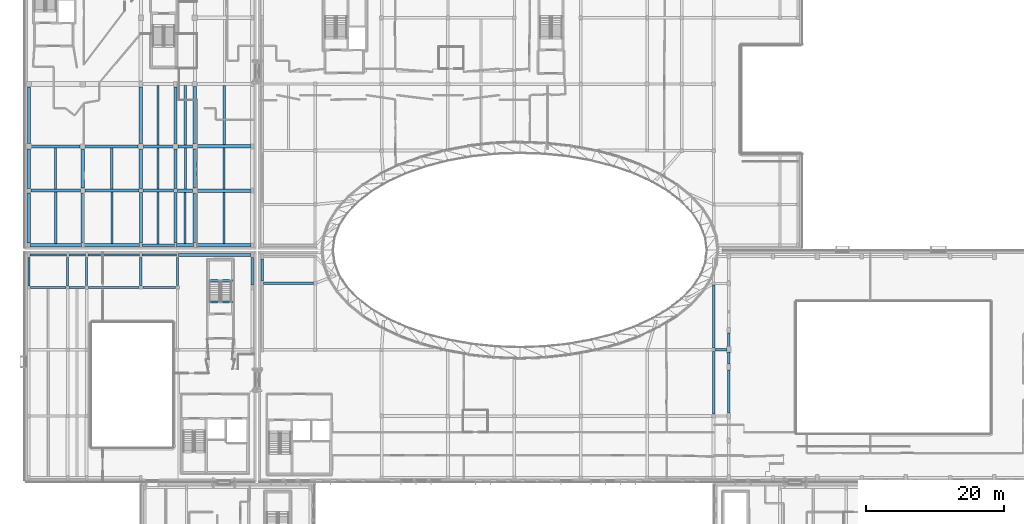
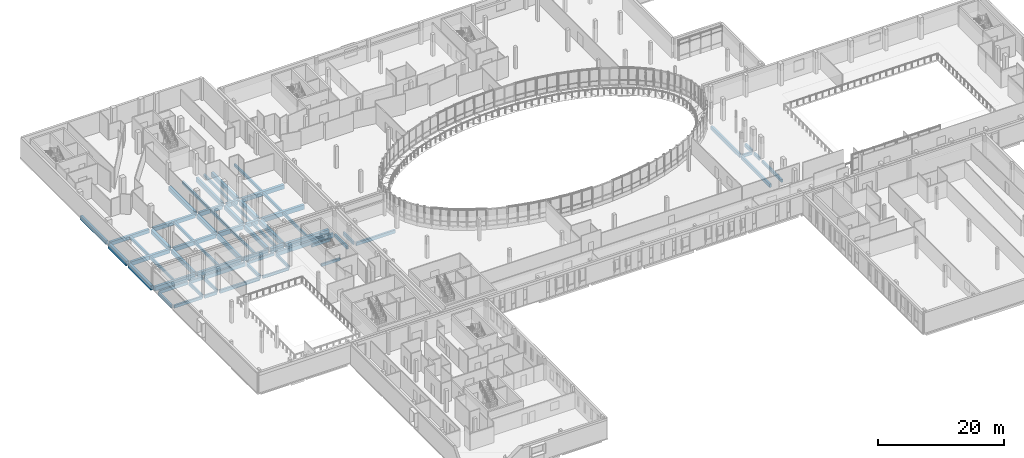
# One storey, part 18 of 84: 67 beams.
"""IFC4 building model written with IfcOpenShell, lengths in metres."""

from ifc_helpers import new_model, si_unit, direction, frame, origin, origin_2d, place, context, subcontext, project, spatial, rectangle, extrude, material, material_profile, profile_set, type_object, element, save


model = new_model("IFC4")

# Units and contexts
model_context = context("Model", 3, precision=1e-05, world=origin(), true_north=direction((0.0, 1.0)))
body_context = subcontext(model_context, "Body", "Model", "MODEL_VIEW")
ifc_project = project(units=[si_unit("LENGTHUNIT", "METRE"), si_unit("AREAUNIT", "SQUARE_METRE"), si_unit("VOLUMEUNIT", "CUBIC_METRE"), si_unit("PLANEANGLEUNIT", "RADIAN"), si_unit("MASSUNIT", "GRAM", prefix="KILO")], contexts=[model_context])

# Site, building, storey
site_placement = place(None, origin())
site = spatial("IfcSite", under=ifc_project, at=site_placement, CompositionType="ELEMENT")
building_placement = place(site_placement, origin())
building = spatial("IfcBuilding", under=site, at=building_placement, Name="Mzevani Central Library", CompositionType="ELEMENT")
storey_placement = place(building_placement, frame((0.0, 0.0, 5.39990234375)))
storey = spatial("IfcBuildingStorey", under=building, at=storey_placement, Name="L01", CompositionType="ELEMENT", Elevation=5.39990234375)

# Beams
ifc_material_1 = material(Name="Concrete C35/45", Category="concrete")
ifc_material_profile_1 = material_profile(ifc_material_1, rectangle(XDim=0.300048828125, YDim=0.5, at=origin_2d()), Name="RC B300x500")
ifc_profile_set_1 = profile_set([ifc_material_profile_1], Name="Concrete C35/45")
beam_type_1 = type_object("IfcBeamType", Name="Beam RC 300x500", PredefinedType="BEAM", material=ifc_profile_set_1)
beam_1_placement = place(storey_placement, frame((29.47509765625, 70.60009765625, -0.510009765625), z_axis=(1.0, 0.0, 0.0), x_axis=(0.0, 1.0, 0.0)))
element("IfcBeam", 1, at=beam_1_placement, inside=storey, type_object=beam_type_1, Name="L01 V5 Girder B-01 (944)", PredefinedType="BEAM", context=body_context, shape_type="SweptSolid", body=[
    extrude(rectangle(XDim=0.300048828125, YDim=0.5, at=origin_2d()), origin(), (0.0, 0.0, 1.0), 4.75),
])
for number, where, z_axis, x_axis, name in (
    (2, (38.97998046875, 71.580078125, 1.650146484375), (1.0, 0.0, 0.0), (0.0, 1.0, 0.0), "L01 Core C5B Lecture North Escape Stair Stair Landing Beam 1"),
    (3, (38.97998046875, 68.5, -0.25), (1.0, 0.0, 0.0), (0.0, 1.0, 0.0), "L01 Core C5B Lecture North Escape Stair Stair Opening Trimmer Beam"),
):
    element("IfcBeam", number, at=place(storey_placement, frame(where, z_axis=z_axis, x_axis=x_axis)), inside=storey, type_object=beam_type_1, Name=name, PredefinedType="BEAM", context=body_context, shape_type="SweptSolid", body=[
        extrude(rectangle(XDim=0.300048828125, YDim=0.5, at=origin_2d()), origin(), (0.0, 0.0, 1.0), 3.43994140625),
    ])
ifc_material_profile_2 = material_profile(ifc_material_1, rectangle(XDim=0.300048828125, YDim=0.550048828125, at=origin_2d()), Name="RC B300x550")
ifc_profile_set_2 = profile_set([ifc_material_profile_2], Name="Concrete C35/45")
beam_type_2 = type_object("IfcBeamType", Name="Beam RC 300x550", PredefinedType="BEAM", material=ifc_profile_set_2)
beam_2_placement = place(storey_placement, frame((112.22509765625, 61.60009765625, -0.534912109375), z_axis=(1.0, 0.0, 0.0), x_axis=(0.0, 1.0, 0.0)))
element("IfcBeam", 4, at=beam_2_placement, inside=storey, type_object=beam_type_2, Name="L01 V1 Girder B-02 (29)", PredefinedType="BEAM", context=body_context, shape_type="SweptSolid", body=[
    extrude(rectangle(XDim=0.300048828125, YDim=0.550048828125, at=origin_2d()), origin(), (0.0, 0.0, 1.0), 1.724853515625),
])
beam_3_placement = place(storey_placement, frame((114.199951171875, 52.449951171875, -0.534912109375), z_axis=(0.0, 1.0, 0.0), x_axis=(-1.0, 0.0, 0.0)))
element("IfcBeam", 5, at=beam_3_placement, inside=storey, type_object=beam_type_2, Name="L01 V1 Frame Beam B-02 (61)", PredefinedType="BEAM", context=body_context, shape_type="SweptSolid", body=[
    extrude(rectangle(XDim=0.300048828125, YDim=0.550048828125, at=origin_2d()), origin(), (0.0, 0.0, 1.0), 6.199951171875),
])
beam_4_placement = place(storey_placement, frame((13.22509765625, 70.60009765625, -0.534912109375), z_axis=(1.0, 0.0, 0.0), x_axis=(0.0, 1.0, 0.0)))
element("IfcBeam", 6, at=beam_4_placement, inside=storey, type_object=beam_type_2, Name="L01 V5 Girder B-02 (941)", PredefinedType="BEAM", context=body_context, shape_type="SweptSolid", body=[
    extrude(rectangle(XDim=0.300048828125, YDim=0.550048828125, at=origin_2d()), origin(), (0.0, 0.0, 1.0), 5.1748046875),
])
beam_5_placement = place(storey_placement, frame((29.375, 75.300048828125, -0.534912109375), z_axis=(1.0, 0.0, 0.0), x_axis=(0.0, 1.0, 0.0)))
element("IfcBeam", 7, at=beam_5_placement, inside=storey, type_object=beam_type_2, Name="L01 V5 Girder B-02 (949)", PredefinedType="BEAM", context=body_context, shape_type="SweptSolid", body=[
    extrude(rectangle(XDim=0.300048828125, YDim=0.550048828125, at=origin_2d()), origin(), (0.0, 0.0, 1.0), 4.949951171875),
])
beam_6_placement = place(storey_placement, frame((34.5, 70.875, -0.534912109375), z_axis=(0.0, 1.0, 0.0), x_axis=(-1.0, 0.0, 0.0)))
element("IfcBeam", 8, at=beam_6_placement, inside=storey, type_object=beam_type_2, Name="L01 V5 Frame Beam B-02 (969)", PredefinedType="BEAM", context=body_context, shape_type="SweptSolid", body=[
    extrude(rectangle(XDim=0.300048828125, YDim=0.550048828125, at=origin_2d()), origin(), (0.0, 0.0, 1.0), 4.074951171875),
])
ifc_material_profile_3 = material_profile(ifc_material_1, rectangle(XDim=0.300048828125, YDim=0.60009765625, at=origin_2d()), Name="RC B300x600")
ifc_profile_set_3 = profile_set([ifc_material_profile_3], Name="Concrete C35/45")
beam_type_3 = type_object("IfcBeamType", Name="Beam RC 300x600", PredefinedType="BEAM", material=ifc_profile_set_3)
beam_7_placement = place(storey_placement, frame((46.75, 71.550048828125, -0.559814453125), z_axis=(0.0, 1.0, 0.0), x_axis=(-1.0, 0.0, 0.0)))
element("IfcBeam", 9, at=beam_7_placement, inside=storey, type_object=beam_type_3, Name="L01 V1 Frame Beam B-03 (42)", PredefinedType="BEAM", context=body_context, shape_type="SweptSolid", body=[
    extrude(rectangle(XDim=0.300048828125, YDim=0.60009765625, at=origin_2d()), origin(), (0.0, 0.0, 1.0), 3.199951171875),
])
beam_8_placement = place(storey_placement, frame((114.199951171875, 59.550048828125, -0.559814453125), z_axis=(0.0, 1.0, 0.0), x_axis=(-1.0, 0.0, 0.0)))
element("IfcBeam", 10, at=beam_8_placement, inside=storey, type_object=beam_type_3, Name="L01 V1 Frame Beam B-03 (62)", PredefinedType="BEAM", context=body_context, shape_type="SweptSolid", body=[
    extrude(rectangle(XDim=0.300048828125, YDim=0.60009765625, at=origin_2d()), origin(), (0.0, 0.0, 1.0), 1.699951171875),
])
beam_9_placement = place(storey_placement, frame((18.800048828125, 70.60009765625, -0.559814453125), z_axis=(1.0, 0.0, 0.0), x_axis=(0.0, 1.0, 0.0)))
element("IfcBeam", 11, at=beam_9_placement, inside=storey, type_object=beam_type_3, Name="L01 V5 Girder B-03 (942)", PredefinedType="BEAM", context=body_context, shape_type="SweptSolid", body=[
    extrude(rectangle(XDim=0.300048828125, YDim=0.60009765625, at=origin_2d()), origin(), (0.0, 0.0, 1.0), 2.27490234375),
])
beam_10_placement = place(storey_placement, frame((13.175048828125, 75.300048828125, -0.559814453125), z_axis=(1.0, 0.0, 0.0), x_axis=(0.0, 1.0, 0.0)))
element("IfcBeam", 12, at=beam_10_placement, inside=storey, type_object=beam_type_3, Name="L01 V5 Girder B-03 (946)", PredefinedType="BEAM", context=body_context, shape_type="SweptSolid", body=[
    extrude(rectangle(XDim=0.300048828125, YDim=0.60009765625, at=origin_2d()), origin(), (0.0, 0.0, 1.0), 5.25),
])
beam_11_placement = place(storey_placement, frame((13.0, 70.824951171875, -0.559814453125), z_axis=(0.0, 1.0, 0.0), x_axis=(-1.0, 0.0, 0.0)))
element("IfcBeam", 13, at=beam_11_placement, inside=storey, type_object=beam_type_3, Name="L01 V5 Frame Beam B-03 (958)", PredefinedType="BEAM", context=body_context, shape_type="SweptSolid", body=[
    extrude(rectangle(XDim=0.300048828125, YDim=0.60009765625, at=origin_2d()), origin(), (0.0, 0.0, 1.0), 4.125),
])
beam_12_placement = place(storey_placement, frame((18.60009765625, 70.800048828125, -0.559814453125), z_axis=(0.0, 1.0, 0.0), x_axis=(-1.0, 0.0, 0.0)))
element("IfcBeam", 14, at=beam_12_placement, inside=storey, type_object=beam_type_3, Name="L01 V5 Frame Beam B-03 (962)", PredefinedType="BEAM", context=body_context, shape_type="SweptSolid", body=[
    extrude(rectangle(XDim=0.300048828125, YDim=0.60009765625, at=origin_2d()), origin(), (0.0, 0.0, 1.0), 4.14990234375),
])
beam_13_placement = place(storey_placement, frame((21.35009765625, 70.875, -0.559814453125), z_axis=(0.0, 1.0, 0.0), x_axis=(-1.0, 0.0, 0.0)))
element("IfcBeam", 15, at=beam_13_placement, inside=storey, type_object=beam_type_3, Name="L01 V5 Frame Beam B-03 (966)", PredefinedType="BEAM", context=body_context, shape_type="SweptSolid", body=[
    extrude(rectangle(XDim=0.300048828125, YDim=0.60009765625, at=origin_2d()), origin(), (0.0, 0.0, 1.0), 4.074951171875),
])
ifc_material_profile_4 = material_profile(ifc_material_1, rectangle(XDim=0.35009765625, YDim=0.60009765625, at=origin_2d()), Name="RC B350x600")
ifc_profile_set_4 = profile_set([ifc_material_profile_4], Name="Concrete C35/45")
beam_type_4 = type_object("IfcBeamType", Name="Beam RC 350x600", PredefinedType="BEAM", material=ifc_profile_set_4)
beam_14_placement = place(storey_placement, frame((46.925048828125, 71.199951171875, -0.559814453125), z_axis=(1.0, 0.0, 0.0), x_axis=(0.0, 1.0, 0.0)))
element("IfcBeam", 16, at=beam_14_placement, inside=storey, type_object=beam_type_4, Name="L01 V1 Girder B-04 (31)", PredefinedType="BEAM", context=body_context, shape_type="SweptSolid", body=[
    extrude(rectangle(XDim=0.35009765625, YDim=0.60009765625, at=origin_2d()), origin(), (0.0, 0.0, 1.0), 7.199951171875),
])
beam_15_placement = place(storey_placement, frame((114.199951171875, 61.949951171875, -0.559814453125), z_axis=(0.0, 1.0, 0.0), x_axis=(-1.0, 0.0, 0.0)))
element("IfcBeam", 17, at=beam_15_placement, inside=storey, type_object=beam_type_4, Name="L01 V1 Frame Beam B-04 (63)", PredefinedType="BEAM", context=body_context, shape_type="SweptSolid", body=[
    extrude(rectangle(XDim=0.35009765625, YDim=0.60009765625, at=origin_2d()), origin(), (0.0, 0.0, 1.0), 2.0830078125),
])
beam_16_placement = place(storey_placement, frame((21.625, 70.60009765625, -0.559814453125), z_axis=(1.0, 0.0, 0.0), x_axis=(0.0, 1.0, 0.0)))
element("IfcBeam", 18, at=beam_16_placement, inside=storey, type_object=beam_type_4, Name="L01 V5 Girder B-04 (943)", PredefinedType="BEAM", context=body_context, shape_type="SweptSolid", body=[
    extrude(rectangle(XDim=0.35009765625, YDim=0.60009765625, at=origin_2d()), origin(), (0.0, 0.0, 1.0), 7.300048828125),
])
beam_17_placement = place(storey_placement, frame((18.77490234375, 75.300048828125, -0.559814453125), z_axis=(1.0, 0.0, 0.0), x_axis=(0.0, 1.0, 0.0)))
element("IfcBeam", 19, at=beam_17_placement, inside=storey, type_object=beam_type_4, Name="L01 V5 Girder B-04 (947)", PredefinedType="BEAM", context=body_context, shape_type="SweptSolid", body=[
    extrude(rectangle(XDim=0.35009765625, YDim=0.60009765625, at=origin_2d()), origin(), (0.0, 0.0, 1.0), 2.400146484375),
])
beam_18_placement = place(storey_placement, frame((29.199951171875, 70.875, -0.559814453125), z_axis=(0.0, 1.0, 0.0), x_axis=(-1.0, 0.0, 0.0)))
element("IfcBeam", 20, at=beam_18_placement, inside=storey, type_object=beam_type_4, Name="L01 V5 Frame Beam B-04 (967)", PredefinedType="BEAM", context=body_context, shape_type="SweptSolid", body=[
    extrude(rectangle(XDim=0.35009765625, YDim=0.60009765625, at=origin_2d()), origin(), (0.0, 0.0, 1.0), 4.074951171875),
])
beam_19_placement = place(storey_placement, frame((45.300048828125, 70.949951171875, -0.559814453125), z_axis=(0.0, 1.0, 0.0), x_axis=(-1.0, 0.0, 0.0)))
element("IfcBeam", 21, at=beam_19_placement, inside=storey, type_object=beam_type_4, Name="L01 V5 Frame Beam B-04 (971)", PredefinedType="BEAM", context=body_context, shape_type="SweptSolid", body=[
    extrude(rectangle(XDim=0.35009765625, YDim=0.60009765625, at=origin_2d()), origin(), (0.0, 0.0, 1.0), 4.0),
])
ifc_material_profile_5 = material_profile(ifc_material_1, rectangle(XDim=0.35009765625, YDim=0.64990234375, at=origin_2d()), Name="RC B350x650")
ifc_profile_set_5 = profile_set([ifc_material_profile_5], Name="Concrete C35/45")
beam_type_5 = type_object("IfcBeamType", Name="Beam RC 350x650", PredefinedType="BEAM", material=ifc_profile_set_5)
beam_20_placement = place(storey_placement, frame((112.0, 52.27490234375, -0.5849609375), z_axis=(0.0, 1.0, 0.0), x_axis=(-1.0, 0.0, 0.0)))
element("IfcBeam", 22, at=beam_20_placement, inside=storey, type_object=beam_type_5, Name="L01 V1 Frame Beam B-05 (56)", PredefinedType="BEAM", context=body_context, shape_type="SweptSolid", body=[
    extrude(rectangle(XDim=0.35009765625, YDim=0.64990234375, at=origin_2d()), origin(), (0.0, 0.0, 1.0), 9.10009765625),
])
ifc_material_profile_6 = material_profile(ifc_material_1, rectangle(XDim=0.35009765625, YDim=0.699951171875, at=origin_2d()), Name="RC B350x700")
ifc_profile_set_6 = profile_set([ifc_material_profile_6], Name="Concrete C35/45")
beam_type_6 = type_object("IfcBeamType", Name="Beam RC 350x700", PredefinedType="BEAM", material=ifc_profile_set_6)
beam_21_placement = place(storey_placement, frame((112.0, 61.824951171875, -0.60986328125), z_axis=(0.0, 1.0, 0.0), x_axis=(-1.0, 0.0, 0.0)))
element("IfcBeam", 23, at=beam_21_placement, inside=storey, type_object=beam_type_6, Name="L01 V1 Frame Beam B-06 (57)", PredefinedType="BEAM", context=body_context, shape_type="SweptSolid", body=[
    extrude(rectangle(XDim=0.35009765625, YDim=0.699951171875, at=origin_2d()), origin(), (0.0, 0.0, 1.0), 9.150146484375),
])
ifc_material_profile_7 = material_profile(ifc_material_1, rectangle(XDim=0.39990234375, YDim=0.800048828125, at=origin_2d()), Name="RC B400x800")
ifc_profile_set_7 = profile_set([ifc_material_profile_7], Name="Concrete C35/45")
beam_type_7 = type_object("IfcBeamType", Name="Beam RC 400x800", PredefinedType="BEAM", material=ifc_profile_set_7)
beam_22_placement = place(storey_placement, frame((34.675048828125, 75.300048828125, -0.659912109375), z_axis=(1.0, 0.0, 0.0), x_axis=(0.0, 1.0, 0.0)))
element("IfcBeam", 24, at=beam_22_placement, inside=storey, type_object=beam_type_7, Name="L01 V5 Girder B-10 (950)", PredefinedType="BEAM", context=body_context, shape_type="SweptSolid", body=[
    extrude(rectangle(XDim=0.39990234375, YDim=0.800048828125, at=origin_2d()), origin(), (0.0, 0.0, 1.0), 10.449951171875),
])
ifc_material_2 = material(Name="Precast concrete C40/50", Category="concrete")
ifc_material_profile_8 = material_profile(ifc_material_2, rectangle(XDim=0.35009765625, YDim=0.800048828125, at=origin_2d()), Name="RC SP350x800")
ifc_profile_set_8 = profile_set([ifc_material_profile_8], Name="Precast concrete C40/50")
beam_type_8 = type_object("IfcBeamType", Name="Colonnade Fascia Beam RC 350x800", PredefinedType="SPANDREL", material=ifc_profile_set_8)
beam_23_placement = place(storey_placement, frame((29.375, 76.699951171875, -0.719970703125), z_axis=(1.0, 0.0, 0.0), x_axis=(0.0, 1.0, 0.0)))
element("IfcBeam", 25, at=beam_23_placement, inside=storey, type_object=beam_type_8, Name="L01 V2 Girder SP-02 (207)", PredefinedType="SPANDREL", context=body_context, shape_type="SweptSolid", body=[
    extrude(rectangle(XDim=0.35009765625, YDim=0.800048828125, at=origin_2d()), origin(), (0.0, 0.0, 1.0), 4.64990234375),
])
ifc_material_profile_9 = material_profile(ifc_material_2, rectangle(XDim=0.300048828125, YDim=0.75, at=origin_2d()), Name="RC SP300x750")
ifc_profile_set_9 = profile_set([ifc_material_profile_9], Name="Precast concrete C40/50")
beam_type_9 = type_object("IfcBeamType", Name="Edge Spandrel Beam RC 300x750", PredefinedType="SPANDREL", material=ifc_profile_set_9)
beam_24_placement = place(storey_placement, frame((21.52490234375, 75.300048828125, -0.635009765625), z_axis=(1.0, 0.0, 0.0), x_axis=(0.0, 1.0, 0.0)))
element("IfcBeam", 26, at=beam_24_placement, inside=storey, type_object=beam_type_9, Name="L01 V5 Girder SP-01 (948)", PredefinedType="SPANDREL", context=body_context, shape_type="SweptSolid", body=[
    extrude(rectangle(XDim=0.300048828125, YDim=0.75, at=origin_2d()), origin(), (0.0, 0.0, 1.0), 7.5),
])
ifc_material_3 = material(Name="Concrete C40/50", Category="concrete")
ifc_material_profile_10 = material_profile(ifc_material_3, rectangle(XDim=0.449951171875, YDim=0.699951171875, at=origin_2d()), Name="RC B450x700")
ifc_profile_set_10 = profile_set([ifc_material_profile_10], Name="Concrete C40/50")
beam_type_10 = type_object("IfcBeamType", Name="Stack Girder RC 450x700", PredefinedType="BEAM", material=ifc_profile_set_10)
beam_25_placement = place(storey_placement, frame((13.25, 91.0, -0.669921875), z_axis=(1.0, 0.0, 0.0), x_axis=(0.0, 1.0, 0.0)))
element("IfcBeam", 27, at=beam_25_placement, inside=storey, type_object=beam_type_10, Name="L01 V2 Girder BG-01 (217)", PredefinedType="BEAM", context=body_context, shape_type="SweptSolid", body=[
    extrude(rectangle(XDim=0.449951171875, YDim=0.699951171875, at=origin_2d()), origin(), (0.0, 0.0, 1.0), 7.175048828125),
])
beam_26_placement = place(storey_placement, frame((13.0, 91.39990234375, -0.669921875), z_axis=(0.0, 1.0, 0.0), x_axis=(-1.0, 0.0, 0.0)))
element("IfcBeam", 28, at=beam_26_placement, inside=storey, type_object=beam_type_10, Name="L01 V2 Frame Beam BG-01 (238)", PredefinedType="BEAM", context=body_context, shape_type="SweptSolid", body=[
    extrude(rectangle(XDim=0.449951171875, YDim=0.699951171875, at=origin_2d()), origin(), (0.0, 0.0, 1.0), 8.2001953125),
])
ifc_material_profile_11 = material_profile(ifc_material_3, rectangle(XDim=0.449951171875, YDim=0.75, at=origin_2d()), Name="RC B450x750")
ifc_profile_set_11 = profile_set([ifc_material_profile_11], Name="Concrete C40/50")
beam_type_11 = type_object("IfcBeamType", Name="Stack Girder RC 450x750", PredefinedType="BEAM", material=ifc_profile_set_11)
beam_27_placement = place(storey_placement, frame((13.324951171875, 84.60009765625, -0.69482421875), z_axis=(1.0, 0.0, 0.0), x_axis=(0.0, 1.0, 0.0)))
element("IfcBeam", 29, at=beam_27_placement, inside=storey, type_object=beam_type_11, Name="L01 V2 Girder BG-02 (211)", PredefinedType="BEAM", context=body_context, shape_type="SweptSolid", body=[
    extrude(rectangle(XDim=0.449951171875, YDim=0.75, at=origin_2d()), origin(), (0.0, 0.0, 1.0), 7.125),
])
beam_28_placement = place(storey_placement, frame((21.175048828125, 91.0, -0.69482421875), z_axis=(1.0, 0.0, 0.0), x_axis=(0.0, 1.0, 0.0)))
element("IfcBeam", 30, at=beam_28_placement, inside=storey, type_object=beam_type_11, Name="L01 V2 Girder BG-02 (218)", PredefinedType="BEAM", context=body_context, shape_type="SweptSolid", body=[
    extrude(rectangle(XDim=0.449951171875, YDim=0.75, at=origin_2d()), origin(), (0.0, 0.0, 1.0), 7.625),
])
beam_29_placement = place(storey_placement, frame((20.800048828125, 77.050048828125, -0.69482421875), z_axis=(0.0, 1.0, 0.0), x_axis=(-1.0, 0.0, 0.0)))
element("IfcBeam", 31, at=beam_29_placement, inside=storey, type_object=beam_type_11, Name="L01 V2 Frame Beam BG-02 (239)", PredefinedType="BEAM", context=body_context, shape_type="SweptSolid", body=[
    extrude(rectangle(XDim=0.449951171875, YDim=0.75, at=origin_2d()), origin(), (0.0, 0.0, 1.0), 7.199951171875),
])
beam_30_placement = place(storey_placement, frame((34.199951171875, 77.050048828125, -0.69482421875), z_axis=(0.0, 1.0, 0.0), x_axis=(-1.0, 0.0, 0.0)))
element("IfcBeam", 32, at=beam_30_placement, inside=storey, type_object=beam_type_11, Name="L01 V2 Frame Beam BG-02 (246)", PredefinedType="BEAM", context=body_context, shape_type="SweptSolid", body=[
    extrude(rectangle(XDim=0.449951171875, YDim=0.75, at=origin_2d()), origin(), (0.0, 0.0, 1.0), 7.25),
])
ifc_material_profile_12 = material_profile(ifc_material_3, rectangle(XDim=0.449951171875, YDim=0.800048828125, at=origin_2d()), Name="RC B450x800")
ifc_profile_set_12 = profile_set([ifc_material_profile_12], Name="Concrete C40/50")
beam_type_12 = type_object("IfcBeamType", Name="Stack Girder RC 450x800", PredefinedType="BEAM", material=ifc_profile_set_12)
beam_31_placement = place(storey_placement, frame((13.175048828125, 76.699951171875, -0.719970703125), z_axis=(1.0, 0.0, 0.0), x_axis=(0.0, 1.0, 0.0)))
element("IfcBeam", 33, at=beam_31_placement, inside=storey, type_object=beam_type_12, Name="L01 V2 Girder BG-03 (205)", PredefinedType="BEAM", context=body_context, shape_type="SweptSolid", body=[
    extrude(rectangle(XDim=0.449951171875, YDim=0.800048828125, at=origin_2d()), origin(), (0.0, 0.0, 1.0), 7.449951171875),
])
beam_32_placement = place(storey_placement, frame((21.14990234375, 84.60009765625, -0.719970703125), z_axis=(1.0, 0.0, 0.0), x_axis=(0.0, 1.0, 0.0)))
element("IfcBeam", 34, at=beam_32_placement, inside=storey, type_object=beam_type_12, Name="L01 V2 Girder BG-03 (212)", PredefinedType="BEAM", context=body_context, shape_type="SweptSolid", body=[
    extrude(rectangle(XDim=0.449951171875, YDim=0.800048828125, at=origin_2d()), origin(), (0.0, 0.0, 1.0), 7.75),
])
beam_33_placement = place(storey_placement, frame((29.60009765625, 91.0, -0.719970703125), z_axis=(1.0, 0.0, 0.0), x_axis=(0.0, 1.0, 0.0)))
element("IfcBeam", 35, at=beam_33_placement, inside=storey, type_object=beam_type_12, Name="L01 V2 Girder BG-03 (219)", PredefinedType="BEAM", context=body_context, shape_type="SweptSolid", body=[
    extrude(rectangle(XDim=0.449951171875, YDim=0.800048828125, at=origin_2d()), origin(), (0.0, 0.0, 1.0), 4.199951171875),
])
beam_34_placement = place(storey_placement, frame((20.800048828125, 84.949951171875, -0.719970703125), z_axis=(0.0, 1.0, 0.0), x_axis=(-1.0, 0.0, 0.0)))
element("IfcBeam", 36, at=beam_34_placement, inside=storey, type_object=beam_type_12, Name="L01 V2 Frame Beam BG-03 (240)", PredefinedType="BEAM", context=body_context, shape_type="SweptSolid", body=[
    extrude(rectangle(XDim=0.449951171875, YDim=0.800048828125, at=origin_2d()), origin(), (0.0, 0.0, 1.0), 5.675048828125),
])
beam_35_placement = place(storey_placement, frame((34.199951171875, 84.89990234375, -0.719970703125), z_axis=(0.0, 1.0, 0.0), x_axis=(-1.0, 0.0, 0.0)))
element("IfcBeam", 37, at=beam_35_placement, inside=storey, type_object=beam_type_12, Name="L01 V2 Frame Beam BG-03 (247)", PredefinedType="BEAM", context=body_context, shape_type="SweptSolid", body=[
    extrude(rectangle(XDim=0.449951171875, YDim=0.800048828125, at=origin_2d()), origin(), (0.0, 0.0, 1.0), 5.7001953125),
])
ifc_material_profile_13 = material_profile(ifc_material_3, rectangle(XDim=0.449951171875, YDim=0.85009765625, at=origin_2d()), Name="RC B450x850")
ifc_profile_set_13 = profile_set([ifc_material_profile_13], Name="Concrete C40/50")
beam_type_13 = type_object("IfcBeamType", Name="Stack Girder RC 450x850", PredefinedType="BEAM", material=ifc_profile_set_13)
beam_36_placement = place(storey_placement, frame((20.97509765625, 76.699951171875, -0.744873046875), z_axis=(1.0, 0.0, 0.0), x_axis=(0.0, 1.0, 0.0)))
element("IfcBeam", 38, at=beam_36_placement, inside=storey, type_object=beam_type_13, Name="L01 V2 Girder BG-04 (206)", PredefinedType="BEAM", context=body_context, shape_type="SweptSolid", body=[
    extrude(rectangle(XDim=0.449951171875, YDim=0.85009765625, at=origin_2d()), origin(), (0.0, 0.0, 1.0), 8.0498046875),
])
beam_37_placement = place(storey_placement, frame((29.5, 84.60009765625, -0.744873046875), z_axis=(1.0, 0.0, 0.0), x_axis=(0.0, 1.0, 0.0)))
element("IfcBeam", 39, at=beam_37_placement, inside=storey, type_object=beam_type_13, Name="L01 V2 Girder BG-04 (213)", PredefinedType="BEAM", context=body_context, shape_type="SweptSolid", body=[
    extrude(rectangle(XDim=0.449951171875, YDim=0.85009765625, at=origin_2d()), origin(), (0.0, 0.0, 1.0), 4.39990234375),
])
beam_38_placement = place(storey_placement, frame((34.60009765625, 91.0, -0.744873046875), z_axis=(1.0, 0.0, 0.0), x_axis=(0.0, 1.0, 0.0)))
element("IfcBeam", 40, at=beam_38_placement, inside=storey, type_object=beam_type_13, Name="L01 V2 Girder BG-04 (220)", PredefinedType="BEAM", context=body_context, shape_type="SweptSolid", body=[
    extrude(rectangle(XDim=0.449951171875, YDim=0.85009765625, at=origin_2d()), origin(), (0.0, 0.0, 1.0), 2.0498046875),
])
beam_39_placement = place(storey_placement, frame((29.199951171875, 77.050048828125, -0.744873046875), z_axis=(0.0, 1.0, 0.0), x_axis=(-1.0, 0.0, 0.0)))
element("IfcBeam", 41, at=beam_39_placement, inside=storey, type_object=beam_type_13, Name="L01 V2 Frame Beam BG-04 (241)", PredefinedType="BEAM", context=body_context, shape_type="SweptSolid", body=[
    extrude(rectangle(XDim=0.449951171875, YDim=0.85009765625, at=origin_2d()), origin(), (0.0, 0.0, 1.0), 7.25),
])
beam_40_placement = place(storey_placement, frame((34.199951171875, 91.39990234375, -0.744873046875), z_axis=(0.0, 1.0, 0.0), x_axis=(-1.0, 0.0, 0.0)))
element("IfcBeam", 42, at=beam_40_placement, inside=storey, type_object=beam_type_13, Name="L01 V2 Frame Beam BG-04 (248)", PredefinedType="BEAM", context=body_context, shape_type="SweptSolid", body=[
    extrude(rectangle(XDim=0.449951171875, YDim=0.85009765625, at=origin_2d()), origin(), (0.0, 0.0, 1.0), 8.175048828125),
])
ifc_material_profile_14 = material_profile(ifc_material_3, rectangle(XDim=0.5, YDim=0.800048828125, at=origin_2d()), Name="RC B500x800")
ifc_profile_set_14 = profile_set([ifc_material_profile_14], Name="Concrete C40/50")
beam_type_14 = type_object("IfcBeamType", Name="Stack Girder RC 500x800", PredefinedType="BEAM", material=ifc_profile_set_14)
beam_41_placement = place(storey_placement, frame((34.5, 84.60009765625, -0.719970703125), z_axis=(1.0, 0.0, 0.0), x_axis=(0.0, 1.0, 0.0)))
element("IfcBeam", 43, at=beam_41_placement, inside=storey, type_object=beam_type_14, Name="L01 V2 Girder BG-05 (214)", PredefinedType="BEAM", context=body_context, shape_type="SweptSolid", body=[
    extrude(rectangle(XDim=0.5, YDim=0.800048828125, at=origin_2d()), origin(), (0.0, 0.0, 1.0), 2.14990234375),
])
beam_42_placement = place(storey_placement, frame((37.35009765625, 91.0, -0.719970703125), z_axis=(1.0, 0.0, 0.0), x_axis=(0.0, 1.0, 0.0)))
element("IfcBeam", 44, at=beam_42_placement, inside=storey, type_object=beam_type_14, Name="L01 V2 Girder BG-05 (221)", PredefinedType="BEAM", context=body_context, shape_type="SweptSolid", body=[
    extrude(rectangle(XDim=0.5, YDim=0.800048828125, at=origin_2d()), origin(), (0.0, 0.0, 1.0), 7.77490234375),
])
beam_43_placement = place(storey_placement, frame((29.199951171875, 84.89990234375, -0.719970703125), z_axis=(0.0, 1.0, 0.0), x_axis=(-1.0, 0.0, 0.0)))
element("IfcBeam", 45, at=beam_43_placement, inside=storey, type_object=beam_type_14, Name="L01 V2 Frame Beam BG-05 (242)", PredefinedType="BEAM", context=body_context, shape_type="SweptSolid", body=[
    extrude(rectangle(XDim=0.5, YDim=0.800048828125, at=origin_2d()), origin(), (0.0, 0.0, 1.0), 5.7001953125),
])
beam_44_placement = place(storey_placement, frame((37.0, 77.050048828125, -0.719970703125), z_axis=(0.0, 1.0, 0.0), x_axis=(-1.0, 0.0, 0.0)))
element("IfcBeam", 46, at=beam_44_placement, inside=storey, type_object=beam_type_14, Name="L01 V2 Frame Beam BG-05 (249)", PredefinedType="BEAM", context=body_context, shape_type="SweptSolid", body=[
    extrude(rectangle(XDim=0.5, YDim=0.800048828125, at=origin_2d()), origin(), (0.0, 0.0, 1.0), 7.199951171875),
])
ifc_material_profile_15 = material_profile(ifc_material_3, rectangle(XDim=0.5, YDim=0.85009765625, at=origin_2d()), Name="RC B500x850")
ifc_profile_set_15 = profile_set([ifc_material_profile_15], Name="Concrete C40/50")
beam_type_15 = type_object("IfcBeamType", Name="Stack Girder RC 500x850", PredefinedType="BEAM", material=ifc_profile_set_15)
beam_45_placement = place(storey_placement, frame((34.375, 76.699951171875, -0.744873046875), z_axis=(1.0, 0.0, 0.0), x_axis=(0.0, 1.0, 0.0)))
element("IfcBeam", 47, at=beam_45_placement, inside=storey, type_object=beam_type_15, Name="L01 V2 Girder BG-06 (208)", PredefinedType="BEAM", context=body_context, shape_type="SweptSolid", body=[
    extrude(rectangle(XDim=0.5, YDim=0.85009765625, at=origin_2d()), origin(), (0.0, 0.0, 1.0), 2.449951171875),
])
beam_46_placement = place(storey_placement, frame((37.35009765625, 84.60009765625, -0.744873046875), z_axis=(1.0, 0.0, 0.0), x_axis=(0.0, 1.0, 0.0)))
element("IfcBeam", 48, at=beam_46_placement, inside=storey, type_object=beam_type_15, Name="L01 V2 Girder BG-06 (215)", PredefinedType="BEAM", context=body_context, shape_type="SweptSolid", body=[
    extrude(rectangle(XDim=0.5, YDim=0.85009765625, at=origin_2d()), origin(), (0.0, 0.0, 1.0), 7.77490234375),
])
beam_47_placement = place(storey_placement, frame((13.0, 77.050048828125, -0.744873046875), z_axis=(0.0, 1.0, 0.0), x_axis=(-1.0, 0.0, 0.0)))
element("IfcBeam", 49, at=beam_47_placement, inside=storey, type_object=beam_type_15, Name="L01 V2 Frame Beam BG-06 (236)", PredefinedType="BEAM", context=body_context, shape_type="SweptSolid", body=[
    extrude(rectangle(XDim=0.5, YDim=0.85009765625, at=origin_2d()), origin(), (0.0, 0.0, 1.0), 7.224853515625),
])
beam_48_placement = place(storey_placement, frame((29.199951171875, 91.39990234375, -0.744873046875), z_axis=(0.0, 1.0, 0.0), x_axis=(-1.0, 0.0, 0.0)))
element("IfcBeam", 50, at=beam_48_placement, inside=storey, type_object=beam_type_15, Name="L01 V2 Frame Beam BG-06 (243)", PredefinedType="BEAM", context=body_context, shape_type="SweptSolid", body=[
    extrude(rectangle(XDim=0.5, YDim=0.85009765625, at=origin_2d()), origin(), (0.0, 0.0, 1.0), 8.175048828125),
])
beam_49_placement = place(storey_placement, frame((37.0, 84.949951171875, -0.744873046875), z_axis=(0.0, 1.0, 0.0), x_axis=(-1.0, 0.0, 0.0)))
element("IfcBeam", 51, at=beam_49_placement, inside=storey, type_object=beam_type_15, Name="L01 V2 Frame Beam BG-06 (250)", PredefinedType="BEAM", context=body_context, shape_type="SweptSolid", body=[
    extrude(rectangle(XDim=0.5, YDim=0.85009765625, at=origin_2d()), origin(), (0.0, 0.0, 1.0), 5.699951171875),
])
ifc_material_profile_16 = material_profile(ifc_material_3, rectangle(XDim=0.5, YDim=0.89990234375, at=origin_2d()), Name="RC B500x900")
ifc_profile_set_16 = profile_set([ifc_material_profile_16], Name="Concrete C40/50")
beam_type_16 = type_object("IfcBeamType", Name="Stack Girder RC 500x900", PredefinedType="BEAM", material=ifc_profile_set_16)
beam_50_placement = place(storey_placement, frame((37.175048828125, 76.699951171875, -0.77001953125), z_axis=(1.0, 0.0, 0.0), x_axis=(0.0, 1.0, 0.0)))
element("IfcBeam", 52, at=beam_50_placement, inside=storey, type_object=beam_type_16, Name="L01 V2 Girder BG-07 (209)", PredefinedType="BEAM", context=body_context, shape_type="SweptSolid", body=[
    extrude(rectangle(XDim=0.5, YDim=0.89990234375, at=origin_2d()), origin(), (0.0, 0.0, 1.0), 7.949951171875),
])
beam_51_placement = place(storey_placement, frame((13.0, 84.925048828125, -0.77001953125), z_axis=(0.0, 1.0, 0.0), x_axis=(-1.0, 0.0, 0.0)))
element("IfcBeam", 53, at=beam_51_placement, inside=storey, type_object=beam_type_16, Name="L01 V2 Frame Beam BG-07 (237)", PredefinedType="BEAM", context=body_context, shape_type="SweptSolid", body=[
    extrude(rectangle(XDim=0.5, YDim=0.89990234375, at=origin_2d()), origin(), (0.0, 0.0, 1.0), 5.675048828125),
])
beam_52_placement = place(storey_placement, frame((37.0, 91.35009765625, -0.77001953125), z_axis=(0.0, 1.0, 0.0), x_axis=(-1.0, 0.0, 0.0)))
element("IfcBeam", 54, at=beam_52_placement, inside=storey, type_object=beam_type_16, Name="L01 V2 Frame Beam BG-07 (251)", PredefinedType="BEAM", context=body_context, shape_type="SweptSolid", body=[
    extrude(rectangle(XDim=0.5, YDim=0.89990234375, at=origin_2d()), origin(), (0.0, 0.0, 1.0), 8.27490234375),
])
ifc_material_profile_17 = material_profile(ifc_material_3, rectangle(XDim=0.300048828125, YDim=0.52001953125, at=origin_2d()), Name="RC J300x520")
ifc_profile_set_17 = profile_set([ifc_material_profile_17], Name="Concrete C40/50")
beam_type_17 = type_object("IfcBeamType", Name="Stack Joist RC 300x520", PredefinedType="JOIST", material=ifc_profile_set_17)
for number, where, z_axis, x_axis, name in (
    (55, (16.887451171875, 76.925048828125, -0.579833984375), (0.0, 1.0, 0.0), (-1.0, 0.0, 0.0), "L01 V2 Floor Joist BJ-04 (260)"),
    (56, (25.02490234375, 76.925048828125, -0.579833984375), (0.0, 1.0, 0.0), (-1.0, 0.0, 0.0), "L01 V2 Floor Joist BJ-04 (261)"),
):
    element("IfcBeam", number, at=place(storey_placement, frame(where, z_axis=z_axis, x_axis=x_axis)), inside=storey, type_object=beam_type_17, Name=name, PredefinedType="JOIST", context=body_context, shape_type="SweptSolid", body=[
        extrude(rectangle(XDim=0.300048828125, YDim=0.52001953125, at=origin_2d()), origin(), (0.0, 0.0, 1.0), 7.449951171875),
    ])
beam_53_placement = place(storey_placement, frame((31.699951171875, 76.875, -0.579833984375), z_axis=(0.0, 1.0, 0.0), x_axis=(-1.0, 0.0, 0.0)))
element("IfcBeam", 57, at=beam_53_placement, inside=storey, type_object=beam_type_17, Name="L01 V2 Floor Joist BJ-04 (262)", PredefinedType="JOIST", context=body_context, shape_type="SweptSolid", body=[
    extrude(rectangle(XDim=0.300048828125, YDim=0.52001953125, at=origin_2d()), origin(), (0.0, 0.0, 1.0), 7.5),
])
for number, where, z_axis, x_axis, name in (
    (58, (35.574951171875, 76.949951171875, -0.579833984375), (0.0, 1.0, 0.0), (-1.0, 0.0, 0.0), "L01 V2 Floor Joist BJ-04 (263)"),
    (59, (41.237548828125, 76.949951171875, -0.579833984375), (0.0, 1.0, 0.0), (-1.0, 0.0, 0.0), "L01 V2 Floor Joist BJ-04 (264)"),
):
    element("IfcBeam", number, at=place(storey_placement, frame(where, z_axis=z_axis, x_axis=x_axis)), inside=storey, type_object=beam_type_17, Name=name, PredefinedType="JOIST", context=body_context, shape_type="SweptSolid", body=[
        extrude(rectangle(XDim=0.300048828125, YDim=0.52001953125, at=origin_2d()), origin(), (0.0, 0.0, 1.0), 7.400146484375),
    ])
for number, where, z_axis, x_axis, name in (
    (60, (16.875, 84.824951171875, -0.579833984375), (0.0, 1.0, 0.0), (-1.0, 0.0, 0.0), "L01 V2 Floor Joist BJ-04 (266)"),
    (61, (24.987548828125, 84.824951171875, -0.579833984375), (0.0, 1.0, 0.0), (-1.0, 0.0, 0.0), "L01 V2 Floor Joist BJ-04 (267)"),
    (62, (31.699951171875, 84.824951171875, -0.579833984375), (0.0, 1.0, 0.0), (-1.0, 0.0, 0.0), "L01 V2 Floor Joist BJ-04 (268)"),
):
    element("IfcBeam", number, at=place(storey_placement, frame(where, z_axis=z_axis, x_axis=x_axis)), inside=storey, type_object=beam_type_17, Name=name, PredefinedType="JOIST", context=body_context, shape_type="SweptSolid", body=[
        extrude(rectangle(XDim=0.300048828125, YDim=0.52001953125, at=origin_2d()), origin(), (0.0, 0.0, 1.0), 5.949951171875),
    ])
beam_54_placement = place(storey_placement, frame((35.625, 84.85009765625, -0.579833984375), z_axis=(0.0, 1.0, 0.0), x_axis=(-1.0, 0.0, 0.0)))
element("IfcBeam", 63, at=beam_54_placement, inside=storey, type_object=beam_type_17, Name="L01 V2 Floor Joist BJ-04 (269)", PredefinedType="JOIST", context=body_context, shape_type="SweptSolid", body=[
    extrude(rectangle(XDim=0.300048828125, YDim=0.52001953125, at=origin_2d()), origin(), (0.0, 0.0, 1.0), 5.9248046875),
])
beam_55_placement = place(storey_placement, frame((41.237548828125, 84.85009765625, -0.579833984375), z_axis=(0.0, 1.0, 0.0), x_axis=(-1.0, 0.0, 0.0)))
element("IfcBeam", 64, at=beam_55_placement, inside=storey, type_object=beam_type_17, Name="L01 V2 Floor Joist BJ-04 (270)", PredefinedType="JOIST", context=body_context, shape_type="SweptSolid", body=[
    extrude(rectangle(XDim=0.300048828125, YDim=0.52001953125, at=origin_2d()), origin(), (0.0, 0.0, 1.0), 5.89990234375),
])
for number, where, z_axis, x_axis, name in (
    (65, (31.699951171875, 91.22509765625, -0.579833984375), (0.0, 1.0, 0.0), (-1.0, 0.0, 0.0), "L01 V2 Floor Joist BJ-04 (272)"),
    (66, (35.612548828125, 91.22509765625, -0.579833984375), (0.0, 1.0, 0.0), (-1.0, 0.0, 0.0), "L01 V2 Floor Joist BJ-04 (273)"),
):
    element("IfcBeam", number, at=place(storey_placement, frame(where, z_axis=z_axis, x_axis=x_axis)), inside=storey, type_object=beam_type_17, Name=name, PredefinedType="JOIST", context=body_context, shape_type="SweptSolid", body=[
        extrude(rectangle(XDim=0.300048828125, YDim=0.52001953125, at=origin_2d()), origin(), (0.0, 0.0, 1.0), 8.5498046875),
    ])
beam_56_placement = place(storey_placement, frame((41.25, 91.25, -0.579833984375), z_axis=(0.0, 1.0, 0.0), x_axis=(-1.0, 0.0, 0.0)))
element("IfcBeam", 67, at=beam_56_placement, inside=storey, type_object=beam_type_17, Name="L01 V2 Floor Joist BJ-04 (274)", PredefinedType="JOIST", context=body_context, shape_type="SweptSolid", body=[
    extrude(rectangle(XDim=0.300048828125, YDim=0.52001953125, at=origin_2d()), origin(), (0.0, 0.0, 1.0), 8.52490234375),
])

save(model, "model.ifc")
